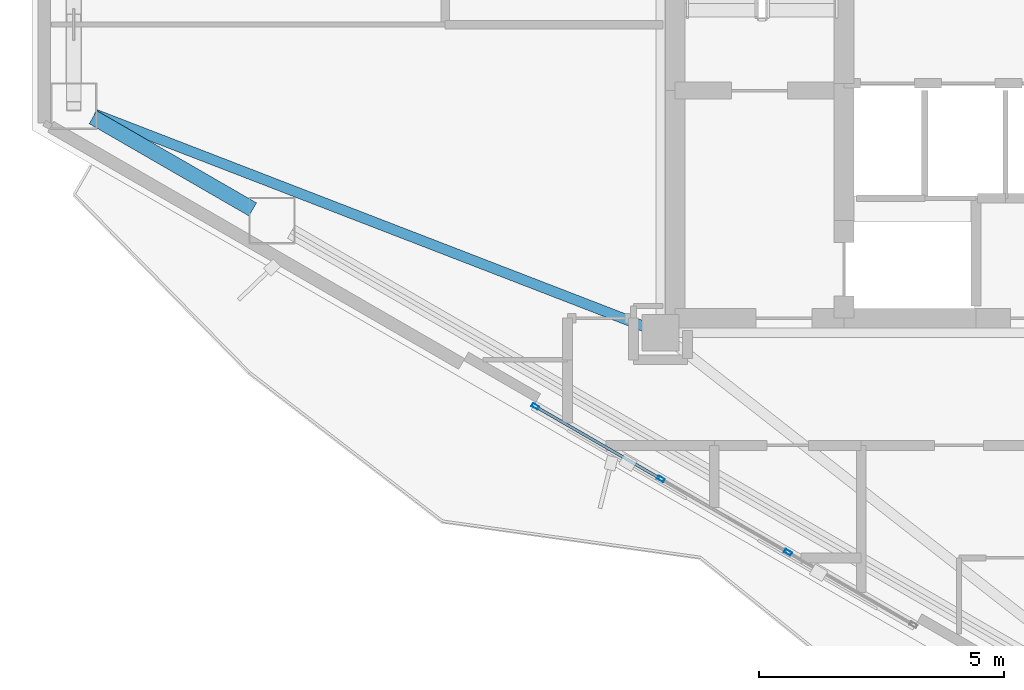
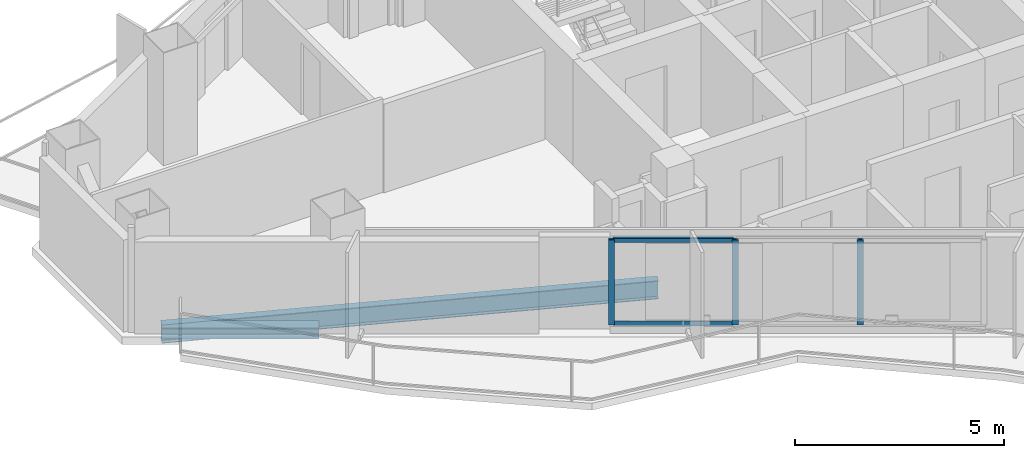
# One storey, part 2 of 21: 5 members, 2 beams, 1 element without a shape of its own.
"""IFC4 building model written with IfcOpenShell, lengths in metres."""

from ifc_helpers import new_model, si_unit, direction, frame, origin, origin_2d, place, context, subcontext, project, spatial, hollow_rectangle, i_section, extrude, material, layer, layer_set, material_profile, profile_set, type_object, element, aggregate, save


model = new_model("IFC4")

# Units and contexts
model_context = context("Model", 3, precision=1e-05, world=origin(), true_north=direction((0.0, 1.0)))
body_context = subcontext(model_context, "Body", "Model", "MODEL_VIEW")
ifc_project = project(units=[si_unit("LENGTHUNIT", "METRE"), si_unit("AREAUNIT", "SQUARE_METRE"), si_unit("VOLUMEUNIT", "CUBIC_METRE"), si_unit("PLANEANGLEUNIT", "RADIAN"), si_unit("MASSUNIT", "GRAM", prefix="KILO")], contexts=[model_context])

# Site, building, storey
site_placement = place(None, origin())
site = spatial("IfcSite", under=ifc_project, at=site_placement, CompositionType="ELEMENT")
building_placement = place(site_placement, origin())
building = spatial("IfcBuilding", under=site, at=building_placement, Name="Mersakhor Tower and Convention Hall", CompositionType="ELEMENT")
storey_placement = place(building_placement, frame((0.0, 0.0, 182.10009765625)))
storey = spatial("IfcBuildingStorey", under=building, at=storey_placement, Name="L50", CompositionType="ELEMENT", Elevation=182.10009765625)

# Beams
ifc_material_1 = material(Name="Steel S355", Category="steel")
ifc_material_profile_1 = material_profile(ifc_material_1, i_section(OverallWidth=0.2099609375, OverallDepth=0.53662109375, WebThickness=0.0107421875, FlangeThickness=0.017333984375, at=origin_2d()), Name="UB 533x210x101")
ifc_profile_set_1 = profile_set([ifc_material_profile_1], Name="Steel S355")
beam_type_1 = type_object("IfcBeamType", Name="BM-FB-533", PredefinedType="BEAM", material=ifc_profile_set_1)
beam_1_placement = place(storey_placement, frame((21.56884765625, 20.577880859375, -0.498291015625), z_axis=(-0.93276514993, 0.360484639167, 0.0), x_axis=(-0.360484639167, -0.93276514993, 0.0)))
element("IfcBeam", 1, at=beam_1_placement, inside=storey, type_object=beam_type_1, Name="L50 Primary Floor Girder FG-6", PredefinedType="BEAM", context=body_context, shape_type="SweptSolid", body=[
    extrude(i_section(OverallWidth=0.2099609375, OverallDepth=0.53662109375, WebThickness=0.0107421875, FlangeThickness=0.017333984375, at=origin_2d()), origin(), (0.0, 0.0, 1.0), 12.047119140625),
])
ifc_material_2 = material(Name="Steel S355", Category="steel")
ifc_material_profile_2 = material_profile(ifc_material_2, i_section(OverallWidth=0.30908203125, OverallDepth=0.320556640625, WebThickness=0.013916015625, FlangeThickness=0.021728515625, at=origin_2d()), Name="UC 305x305x137")
ifc_profile_set_2 = profile_set([ifc_material_profile_2], Name="Steel S355")
beam_type_2 = type_object("IfcBeamType", Name="BM-SPD-UC305", PredefinedType="SPANDREL", material=ifc_profile_set_2)
beam_2_placement = place(storey_placement, frame((13.56591796875, 22.97265625, -0.390380859375), z_axis=(-0.866046450459, 0.499963544319, 0.0), x_axis=(-0.499963544319, -0.866046450459, 0.0)))
element("IfcBeam", 2, at=beam_2_placement, inside=storey, type_object=beam_type_2, Name="L50 Perimeter Spandrel Beam SPB-11", PredefinedType="SPANDREL", context=body_context, shape_type="SweptSolid", body=[
    extrude(i_section(OverallWidth=0.30908203125, OverallDepth=0.320556640625, WebThickness=0.013916015625, FlangeThickness=0.021728515625, at=origin_2d()), origin(), (0.0, 0.0, 1.0), 3.769287109375),
])

# Curtain wall, members
ifc_material_3 = material(Name="Dark solar low-E aluminium curtain wall", Category="aluminium")
ifc_layer = layer(ifc_material_3, 0.169921875)
ifc_layer_set = layer_set([ifc_layer], Name="Dark solar low-E aluminium curtain wall")
curtain_wall_type = type_object("IfcCurtainWallType", Name="CW-SYS-02", PredefinedType="USERDEFINED", material=ifc_layer_set)
curtain_wall_placement = place(storey_placement, origin())
curtain_wall = element("IfcCurtainWall", 3, at=curtain_wall_placement, inside=storey, type_object=curtain_wall_type, Name="L50 Dark-Glass Curtain Wall F3-B2", ObjectType="CURTAIN WALL", PredefinedType="USERDEFINED")
ifc_material_4 = material(Name="Anodised aluminium EN AW-6063 T6", Category="aluminium")
ifc_material_profile_3 = material_profile(ifc_material_4, hollow_rectangle(XDim=0.074951171875, YDim=0.14990234375, WallThickness=0.00634765625, at=origin_2d()), Name="RHS 150x75x6.3")
ifc_profile_set_3 = profile_set([ifc_material_profile_3], Name="Anodised aluminium EN AW-6063 T6")
member_type_1 = type_object("IfcMemberType", Name="CWM-150x75", PredefinedType="MULLION", material=ifc_profile_set_3)
member_1_placement = place(storey_placement, frame((24.504638671875, 15.964111328125, 0.199951171875), z_axis=(0.0, 0.0, 1.0), x_axis=(-0.500007824483, -0.86602088627, 0.0)))
member_1 = element("IfcMember", 4, at=member_1_placement, type_object=member_type_1, Name="CW-02 mullion 2", PredefinedType="MULLION", context=body_context, shape_type="SweptSolid", body=[
    extrude(hollow_rectangle(XDim=0.074951171875, YDim=0.14990234375, WallThickness=0.00634765625, at=origin_2d()), origin(), (0.0, 0.0, 1.0), 2.489990234375),
])
member_2_placement = place(storey_placement, frame((21.906982421875, 17.464111328125, 0.199951171875), z_axis=(0.0, 0.0, 1.0), x_axis=(-0.500007824483, -0.86602088627, 0.0)))
member_2 = element("IfcMember", 5, at=member_2_placement, type_object=member_type_1, Name="CW-02 mullion 3", PredefinedType="MULLION", context=body_context, shape_type="SweptSolid", body=[
    extrude(hollow_rectangle(XDim=0.074951171875, YDim=0.14990234375, WallThickness=0.00634765625, at=origin_2d()), origin(), (0.0, 0.0, 1.0), 2.489990234375),
])
member_3_placement = place(storey_placement, frame((19.341796875, 18.945068359375, 0.199951171875), z_axis=(0.0, 0.0, 1.0), x_axis=(-0.500007824483, -0.86602088627, 0.0)))
member_3 = element("IfcMember", 6, at=member_3_placement, type_object=member_type_1, Name="CW-02 mullion 4", PredefinedType="MULLION", context=body_context, shape_type="SweptSolid", body=[
    extrude(hollow_rectangle(XDim=0.074951171875, YDim=0.14990234375, WallThickness=0.00634765625, at=origin_2d()), origin(), (0.0, 0.0, 1.0), 2.489990234375),
])
ifc_material_5 = material(Name="Anodised aluminium EN AW-6063 T6", Category="aluminium")
ifc_material_profile_4 = material_profile(ifc_material_5, hollow_rectangle(XDim=0.06005859375, YDim=0.1201171875, WallThickness=0.0048828125, at=origin_2d()), Name="RHS 120x60x5")
ifc_profile_set_4 = profile_set([ifc_material_profile_4], Name="Anodised aluminium EN AW-6063 T6")
member_type_2 = type_object("IfcMemberType", Name="CWT-120x60", PredefinedType="USERDEFINED", material=ifc_profile_set_4)
member_4_placement = place(storey_placement, frame((21.87451171875, 17.48291015625, 0.22998046875), z_axis=(-0.86601237176, 0.50002257145, 0.0), x_axis=(-0.50002257145, -0.86601237176, 0.0)))
member_4 = element("IfcMember", 7, at=member_4_placement, type_object=member_type_2, Name="CW-02 transom 3.1", ObjectType="TRANSOM", PredefinedType="USERDEFINED", context=body_context, shape_type="SweptSolid", body=[
    extrude(hollow_rectangle(XDim=0.06005859375, YDim=0.1201171875, WallThickness=0.0048828125, at=origin_2d()), origin(), (0.0, 0.0, 1.0), 2.886962890625),
])
member_5_placement = place(storey_placement, frame((21.87451171875, 17.48291015625, 2.659912109375), z_axis=(-0.86601237176, 0.50002257145, 0.0), x_axis=(-0.50002257145, -0.86601237176, 0.0)))
member_5 = element("IfcMember", 8, at=member_5_placement, type_object=member_type_2, Name="CW-02 transom 3.2", ObjectType="TRANSOM", PredefinedType="USERDEFINED", context=body_context, shape_type="SweptSolid", body=[
    extrude(hollow_rectangle(XDim=0.06005859375, YDim=0.1201171875, WallThickness=0.0048828125, at=origin_2d()), origin(), (0.0, 0.0, 1.0), 2.886962890625),
])
aggregate(curtain_wall, [member_1, member_2, member_3, member_4, member_5])

save(model, "model.ifc")
